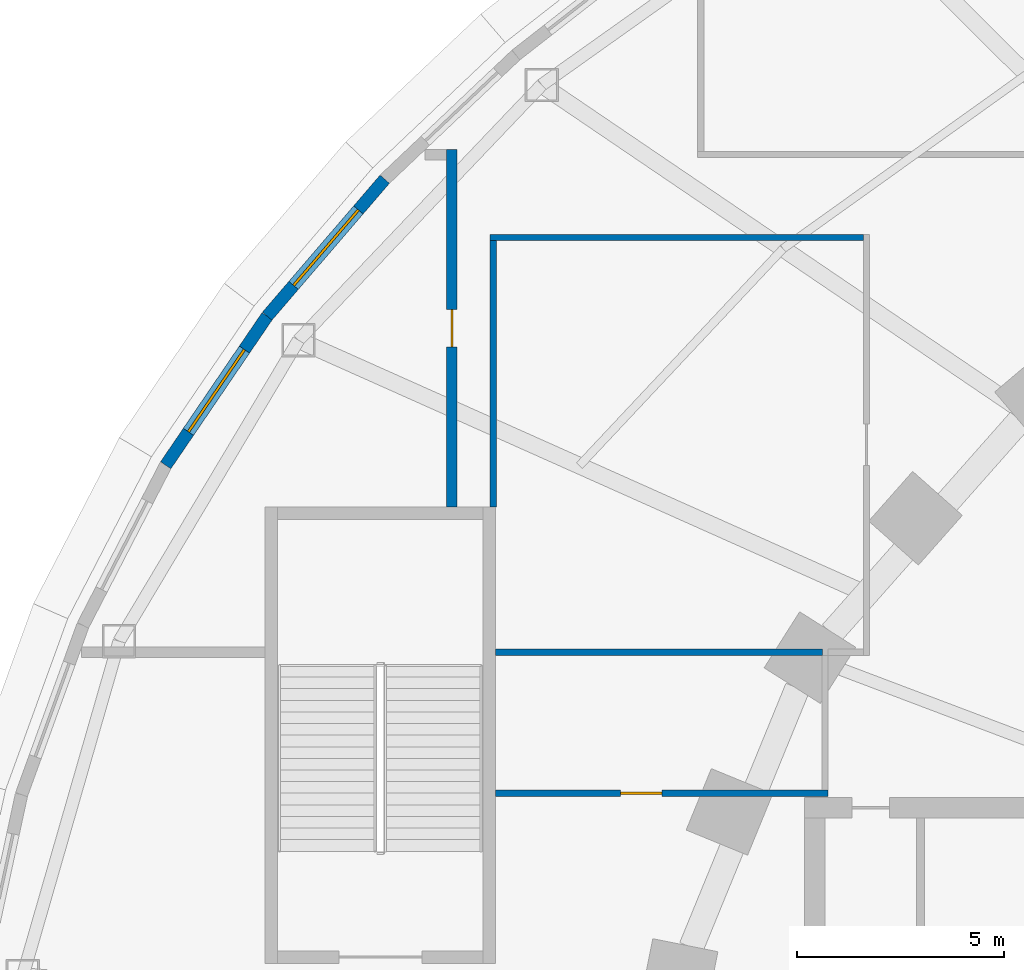
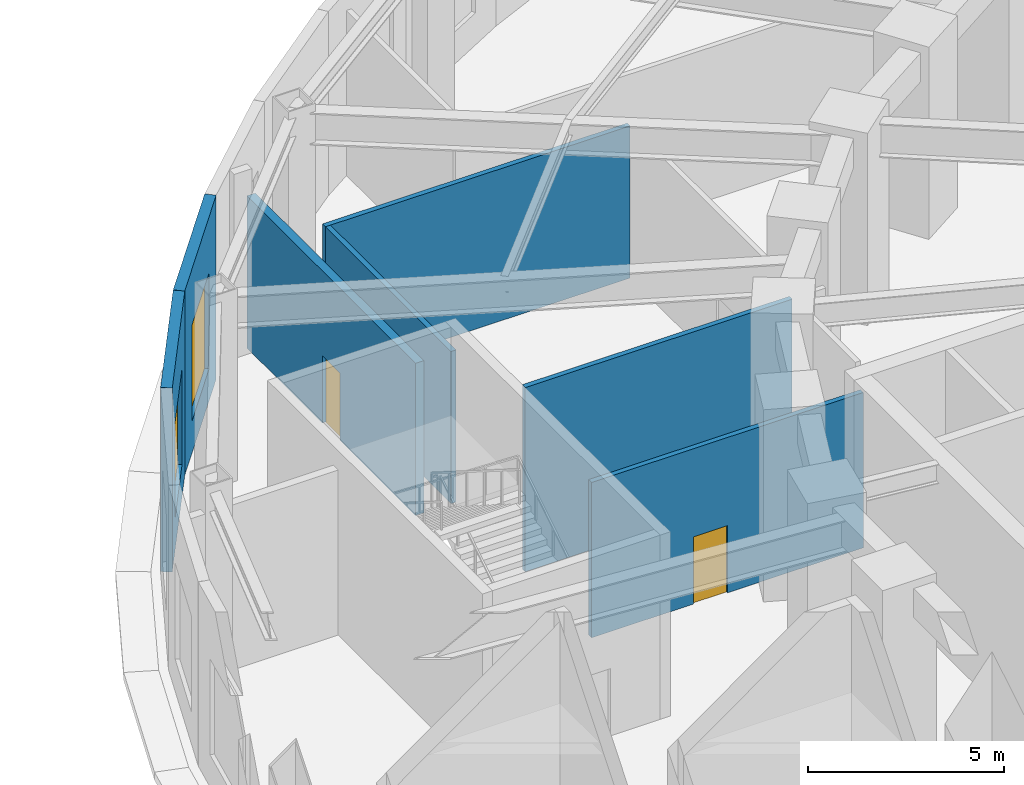
# One storey, part 20 of 74: 7 walls, 2 doors, 2 windows, 4 openings.
"""IFC4 building model written with IfcOpenShell, lengths in metres."""

from ifc_helpers import new_model, si_unit, direction, frame, frame_2d, origin, place, context, subcontext, project, spatial, rectangle, extrude, material, layer, layer_set, type_object, element, fill, save


model = new_model("IFC4")

# Units and contexts
model_context = context("Model", 3, precision=1e-05, world=origin(), true_north=direction((0.0, 1.0)))
body_context = subcontext(model_context, "Body", "Model", "MODEL_VIEW")
ifc_project = project(units=[si_unit("LENGTHUNIT", "METRE"), si_unit("AREAUNIT", "SQUARE_METRE"), si_unit("VOLUMEUNIT", "CUBIC_METRE"), si_unit("PLANEANGLEUNIT", "RADIAN"), si_unit("MASSUNIT", "GRAM", prefix="KILO")], contexts=[model_context])

# Site, building, storey
site_placement = place(None, origin())
site = spatial("IfcSite", under=ifc_project, at=site_placement, CompositionType="ELEMENT")
building_placement = place(site_placement, origin())
building = spatial("IfcBuilding", under=site, at=building_placement, Name="Noorbagh Ring Tower", CompositionType="ELEMENT")
storey_placement = place(building_placement, frame((0.0, 0.0, 7.5)))
storey = spatial("IfcBuildingStorey", under=building, at=storey_placement, Name="L01", CompositionType="ELEMENT", Elevation=7.5)

# Wall, opening, window
ifc_material_1 = material(Name="Blockwork faced with red sandstone", Category="masonry")
ifc_layer_1 = layer(ifc_material_1, 0.300048828125)
ifc_layer_set_1 = layer_set([ifc_layer_1], Name="Blockwork faced with red sandstone")
wall_type_1 = type_object("IfcWallType", Name="GND-ENV-WALL", PredefinedType="SOLIDWALL", material=ifc_layer_set_1)
wall_1_placement = place(storey_placement, frame((-41.61669921875, 23.406005859375, 0.0), z_axis=(0.0, 0.0, 1.0), x_axis=(-0.651387059497, -0.758745608699, 0.0)))
wall_1 = element("IfcWall", 1, at=wall_1_placement, inside=storey, type_object=wall_type_1, Name="Podium wall", PredefinedType="SOLIDWALL", context=body_context, shape_type="SweptSolid", body=[
    extrude(rectangle(XDim=4.3525390625, YDim=0.300048828125, at=frame_2d((2.17626953125, 0.0))), origin(), (0.0, 0.0, 1.0), 5.75),
])
opening_1_placement = place(wall_1_placement, frame((0.976318359375, 0.0, 1.0)))
opening_1 = element("IfcOpeningElement", 2, at=opening_1_placement, cuts=wall_1, Name="Opening GWN1", PredefinedType="OPENING", context=body_context, shape_type="SweptSolid", body=[
    extrude(rectangle(XDim=2.39990234375, YDim=3.0, at=frame_2d((1.199951171875, 1.5))), frame((0.0, 0.16015625, 0.0), z_axis=(0.0, -1.0, 0.0), x_axis=(1.0, 0.0, 0.0)), (0.0, 0.0, 1.0), 0.320068359375),
])
ifc_material_2 = material(Name="Aluminium and glass", Category="aluminium")
window_type = type_object("IfcWindowType", Name="GND-ENV-WINDOW", PartitioningType="SINGLE_PANEL", PredefinedType="WINDOW", material=ifc_material_2)
window_1_placement = place(opening_1_placement, origin())
window_1 = element("IfcWindow", 3, at=window_1_placement, inside=storey, type_object=window_type, Name="L01 podium window", OverallHeight=3.0, OverallWidth=2.39990234375, PartitioningType="SINGLE_PANEL", PredefinedType="WINDOW", context=body_context, shape_type="SweptSolid", body=[
    extrude(rectangle(XDim=2.39990234375, YDim=3.0, at=frame_2d((1.199951171875, 1.5))), frame((0.0, 0.030029296875, 0.0), z_axis=(0.0, -1.0, 0.0), x_axis=(1.0, 0.0, 0.0)), (0.0, 0.0, 1.0), 0.06005859375),
])
fill(opening_1, window_1)

wall_2_placement = place(storey_placement, frame((-44.451904296875, 20.103515625, 0.0), z_axis=(0.0, 0.0, 1.0), x_axis=(-0.562667738859, -0.82668314102, 0.0)))
wall_2 = element("IfcWall", 4, at=wall_2_placement, inside=storey, type_object=wall_type_1, Name="Podium wall", PredefinedType="SOLIDWALL", context=body_context, shape_type="SweptSolid", body=[
    extrude(rectangle(XDim=4.348876953125, YDim=0.300048828125, at=frame_2d((2.17431640625, 0.0))), origin(), (0.0, 0.0, 1.0), 5.75),
])
opening_2_placement = place(wall_2_placement, frame((0.974365234375, 0.0, 1.0)))
opening_2 = element("IfcOpeningElement", 5, at=opening_2_placement, cuts=wall_2, Name="Opening GWN1", PredefinedType="OPENING", context=body_context, shape_type="SweptSolid", body=[
    extrude(rectangle(XDim=2.39990234375, YDim=3.0, at=frame_2d((1.199951171875, 1.5))), frame((0.0, 0.16015625, 0.0), z_axis=(0.0, -1.0, 0.0), x_axis=(1.0, 0.0, 0.0)), (0.0, 0.0, 1.0), 0.320068359375),
])
window_2_placement = place(opening_2_placement, origin())
window_2 = element("IfcWindow", 6, at=window_2_placement, inside=storey, type_object=window_type, Name="L01 podium window", OverallHeight=3.0, OverallWidth=2.39990234375, PartitioningType="SINGLE_PANEL", PredefinedType="WINDOW", context=body_context, shape_type="SweptSolid", body=[
    extrude(rectangle(XDim=2.39990234375, YDim=3.0, at=frame_2d((1.199951171875, 1.5))), frame((0.0, 0.030029296875, 0.0), z_axis=(0.0, -1.0, 0.0), x_axis=(1.0, 0.0, 0.0)), (0.0, 0.0, 1.0), 0.06005859375),
])
fill(opening_2, window_2)

# Walls
ifc_material_3 = material(Name="Gypsum board on steel studs", Category="steel")
ifc_layer_2 = layer(ifc_material_3, 0.14990234375)
ifc_layer_set_2 = layer_set([ifc_layer_2], Name="Gypsum board on steel studs")
wall_type_2 = type_object("IfcWallType", Name="GND-PART-150", PredefinedType="PARTITIONING", material=ifc_layer_set_2)
wall_3_placement = place(storey_placement, frame((-31.06494140625, 12.0, 0.0), z_axis=(0.0, 0.0, 1.0), x_axis=(-1.0, 0.0, 0.0)))
element("IfcWall", 7, at=wall_3_placement, inside=storey, type_object=wall_type_2, Name="L01/wall/P021", PredefinedType="PARTITIONING", context=body_context, shape_type="SweptSolid", body=[
    extrude(rectangle(XDim=7.885009765625, YDim=0.14990234375, at=frame_2d((3.9423828125, 0.0))), origin(), (0.0, 0.0, 1.0), 5.75),
])
wall_4_placement = place(storey_placement, frame((-39.0, 15.5, 0.0), z_axis=(0.0, 0.0, 1.0), x_axis=(0.0, 1.0, 0.0)))
element("IfcWall", 8, at=wall_4_placement, inside=storey, type_object=wall_type_2, Name="L01/wall/P024", PredefinedType="PARTITIONING", context=body_context, shape_type="SweptSolid", body=[
    extrude(rectangle(XDim=6.425048828125, YDim=0.14990234375, at=frame_2d((3.21240234375, 0.0))), origin(), (0.0, 0.0, 1.0), 4.75),
])
wall_5_placement = place(storey_placement, frame((-39.074951171875, 22.0, 0.0), z_axis=(0.0, 0.0, 1.0), x_axis=(1.0, 0.0, 0.0)))
element("IfcWall", 9, at=wall_5_placement, inside=storey, type_object=wall_type_2, Name="L01/wall/P025", PredefinedType="PARTITIONING", context=body_context, shape_type="SweptSolid", body=[
    extrude(rectangle(XDim=9.0, YDim=0.14990234375, at=frame_2d((4.5, 0.0))), origin(), (0.0, 0.0, 1.0), 4.75),
])

# Wall, opening, door
wall_6_placement = place(storey_placement, frame((-30.925048828125, 8.60009765625, 0.0), z_axis=(0.0, 0.0, 1.0), x_axis=(-1.0, 0.0, 0.0)))
wall_6 = element("IfcWall", 10, at=wall_6_placement, inside=storey, type_object=wall_type_2, Name="L01/wall/P026", PredefinedType="PARTITIONING", context=body_context, shape_type="SweptSolid", body=[
    extrude(rectangle(XDim=8.02490234375, YDim=0.14990234375, at=frame_2d((4.012451171875, 0.0))), origin(), (0.0, 0.0, 1.0), 4.85009765625),
])
opening_3_placement = place(wall_6_placement, frame((4.012451171875, 0.0, 0.0)))
opening_3 = element("IfcOpeningElement", 11, at=opening_3_placement, cuts=wall_6, Name="Opening GD6", PredefinedType="OPENING", context=body_context, shape_type="SweptSolid", body=[
    extrude(rectangle(XDim=1.0, YDim=2.10009765625, at=frame_2d((0.5, 1.050048828125))), frame((0.0, 0.0849609375, 0.0), z_axis=(0.0, -1.0, 0.0), x_axis=(1.0, 0.0, 0.0)), (0.0, 0.0, 1.0), 0.169921875),
])
ifc_material_4 = material(Name="Timber", Category="wood")
door_type_1 = type_object("IfcDoorType", Name="GND-DOOR-HALL", OperationType="SINGLE_SWING_LEFT", PredefinedType="DOOR", material=ifc_material_4)
door_1_placement = place(opening_3_placement, origin())
door_1 = element("IfcDoor", 12, at=door_1_placement, inside=storey, type_object=door_type_1, Name="Accessible WC door", OperationType="SINGLE_SWING_LEFT", OverallHeight=2.10009765625, OverallWidth=1.0, PredefinedType="DOOR", context=body_context, shape_type="SweptSolid", body=[
    extrude(rectangle(XDim=1.0, YDim=2.10009765625, at=frame_2d((0.5, 1.050048828125))), frame((0.0, 0.02490234375, 0.0), z_axis=(0.0, -1.0, 0.0), x_axis=(1.0, 0.0, 0.0)), (0.0, 0.0, 1.0), 0.050048828125),
])
fill(opening_3, door_1)

ifc_material_5 = material(Name="Reinforced blockwork", Category="masonry")
ifc_layer_3 = layer(ifc_material_5, 0.25)
ifc_layer_set_3 = layer_set([ifc_layer_3], Name="Reinforced blockwork")
wall_type_3 = type_object("IfcWallType", Name="GND-PART-250", PredefinedType="PARTITIONING", material=ifc_layer_set_3)
wall_7_placement = place(storey_placement, frame((-40.0, 24.125, 0.0), z_axis=(0.0, 0.0, 1.0), x_axis=(0.0, -1.0, 0.0)))
wall_7 = element("IfcWall", 13, at=wall_7_placement, inside=storey, type_object=wall_type_3, Name="L01/wall/P020", PredefinedType="PARTITIONING", context=body_context, shape_type="SweptSolid", body=[
    extrude(rectangle(XDim=8.625, YDim=0.25, at=frame_2d((4.3125, 0.0))), origin(), (0.0, 0.0, 1.0), 4.75),
])
opening_4_placement = place(wall_7_placement, frame((3.862548828125, 0.0, 0.0)))
opening_4 = element("IfcOpeningElement", 14, at=opening_4_placement, cuts=wall_7, Name="Opening GD11", PredefinedType="OPENING", context=body_context, shape_type="SweptSolid", body=[
    extrude(rectangle(XDim=0.89990234375, YDim=2.10009765625, at=frame_2d((0.449951171875, 1.050048828125))), frame((0.0, 0.135009765625, 0.0), z_axis=(0.0, -1.0, 0.0), x_axis=(1.0, 0.0, 0.0)), (0.0, 0.0, 1.0), 0.27001953125),
])
ifc_material_6 = material(Name="Steel", Category="steel")
door_type_2 = type_object("IfcDoorType", Name="GND-DOOR-HALL-FD120", OperationType="SINGLE_SWING_LEFT", PredefinedType="DOOR", material=ifc_material_6)
door_2_placement = place(opening_4_placement, origin())
door_2 = element("IfcDoor", 15, at=door_2_placement, inside=storey, type_object=door_type_2, Name="Electrical room door", OperationType="SINGLE_SWING_RIGHT", OverallHeight=2.10009765625, OverallWidth=0.89990234375, PredefinedType="DOOR", context=body_context, shape_type="SweptSolid", body=[
    extrude(rectangle(XDim=0.89990234375, YDim=2.10009765625, at=frame_2d((0.449951171875, 1.050048828125))), frame((0.0, 0.02490234375, 0.0), z_axis=(0.0, -1.0, 0.0), x_axis=(1.0, 0.0, 0.0)), (0.0, 0.0, 1.0), 0.050048828125),
])
fill(opening_4, door_2)

save(model, "model.ifc")
